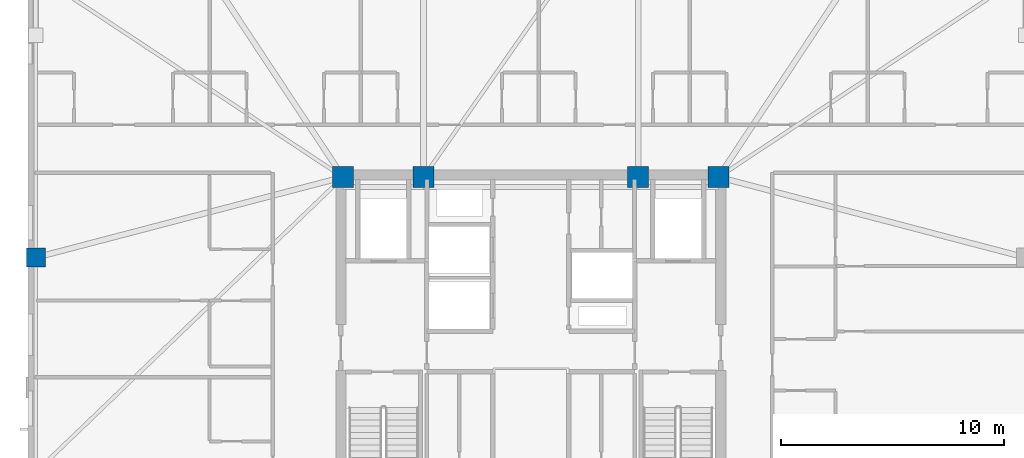
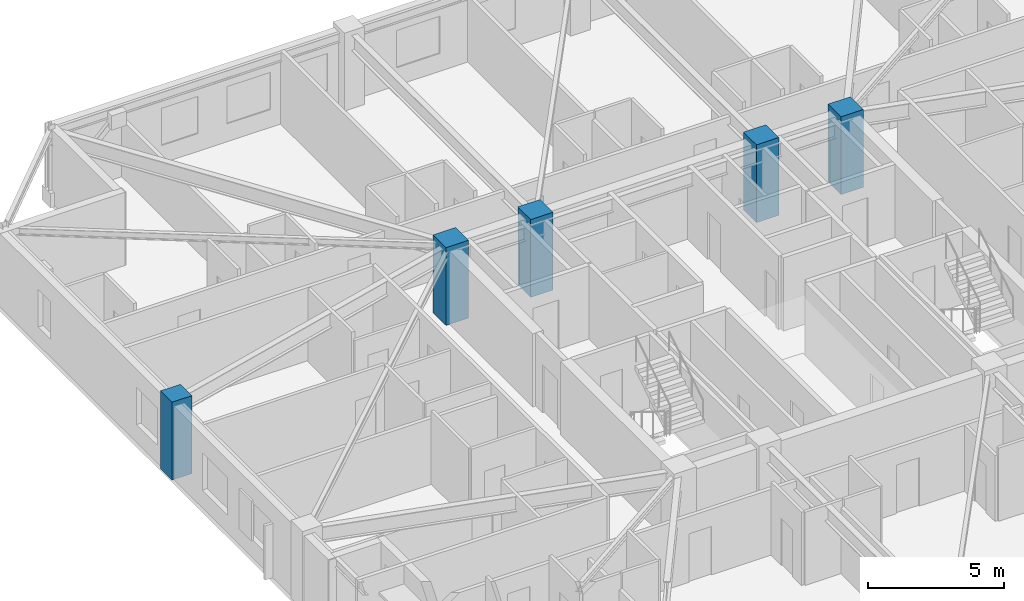
# One storey, part 2 of 17: 5 columns.
"""IFC4 building model written with IfcOpenShell, lengths in metres."""

from ifc_helpers import new_model, si_unit, direction, frame, origin, origin_2d, place, context, subcontext, project, spatial, rectangle, extrude, material, material_profile, profile_set, type_object, element, save


model = new_model("IFC4")

# Units and contexts
model_context = context("Model", 3, precision=1e-05, world=origin(), true_north=direction((0.0, 1.0)))
body_context = subcontext(model_context, "Body", "Model", "MODEL_VIEW")
ifc_project = project(units=[si_unit("LENGTHUNIT", "METRE"), si_unit("AREAUNIT", "SQUARE_METRE"), si_unit("VOLUMEUNIT", "CUBIC_METRE"), si_unit("PLANEANGLEUNIT", "RADIAN"), si_unit("MASSUNIT", "GRAM", prefix="KILO")], contexts=[model_context])

# Site, building, storey
site_placement = place(None, origin())
site = spatial("IfcSite", under=ifc_project, at=site_placement, CompositionType="ELEMENT")
building_placement = place(site_placement, origin())
building = spatial("IfcBuilding", under=site, at=building_placement, Name="Cairnveth Concourse Tower", CompositionType="ELEMENT")
storey_placement = place(building_placement, frame((0.0, 0.0, 248.0)))
storey = spatial("IfcBuildingStorey", under=building, at=storey_placement, Name="L68", CompositionType="ELEMENT", Elevation=248.0)

# Columns
ifc_material = material(Name="Concrete N65 (65 MPa)", Category="concrete")
ifc_material_profile_1 = material_profile(ifc_material, rectangle(XDim=0.949951171875, YDim=0.949951171875, at=origin_2d()), Name="RC-COL-950x950")
ifc_profile_set_1 = profile_set([ifc_material_profile_1], Name="Concrete N65 (65 MPa)")
column_type_1 = type_object("IfcColumnType", Name="CORE COLUMN 950X950", PredefinedType="COLUMN", material=ifc_profile_set_1)
for number, where, z_axis, x_axis, name in (
    (1, (43.60009765625, 47.39990234375, 0.0), (0.0, 0.0, 1.0), (1.0, 0.0, 0.0), "Column CC5 L68"),
    (2, (47.199951171875, 47.39990234375, 0.0), (0.0, 0.0, 1.0), (1.0, 0.0, 0.0), "Column CC6 L68"),
    (3, (56.800048828125, 47.39990234375, 0.0), (0.0, 0.0, 1.0), (1.0, 0.0, 0.0), "Column CC7 L68"),
    (4, (60.39990234375, 47.39990234375, 0.0), (0.0, 0.0, 1.0), (1.0, 0.0, 0.0), "Column CC8 L68"),
):
    element("IfcColumn", number, at=place(storey_placement, frame(where, z_axis=z_axis, x_axis=x_axis)), inside=storey, type_object=column_type_1, Name=name, PredefinedType="COLUMN", context=body_context, shape_type="SweptSolid", body=[
        extrude(rectangle(XDim=0.949951171875, YDim=0.949951171875, at=origin_2d()), origin(), (0.0, 0.0, 1.0), 3.5),
    ])
ifc_material_profile_2 = material_profile(ifc_material, rectangle(XDim=0.85009765625, YDim=0.85009765625, at=origin_2d()), Name="RC-COL-850x850")
ifc_profile_set_2 = profile_set([ifc_material_profile_2], Name="Concrete N65 (65 MPa)")
column_type_2 = type_object("IfcColumnType", Name="PERIMETER PIER COLUMN 850X850", PredefinedType="COLUMN", material=ifc_profile_set_2)
column_placement = place(storey_placement, frame((29.85009765625, 43.800048828125, 0.0), z_axis=(0.0, 0.0, 1.0), x_axis=(0.0, 1.0, 0.0)))
element("IfcColumn", 5, at=column_placement, inside=storey, type_object=column_type_2, Name="Column P-W2 L68", PredefinedType="COLUMN", context=body_context, shape_type="SweptSolid", body=[
    extrude(rectangle(XDim=0.85009765625, YDim=0.85009765625, at=origin_2d()), origin(), (0.0, 0.0, 1.0), 3.5),
])

save(model, "model.ifc")
